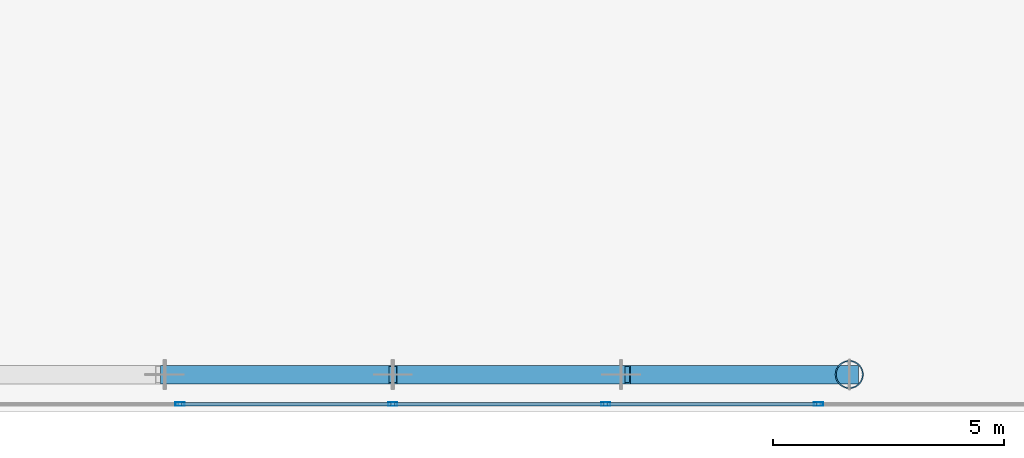
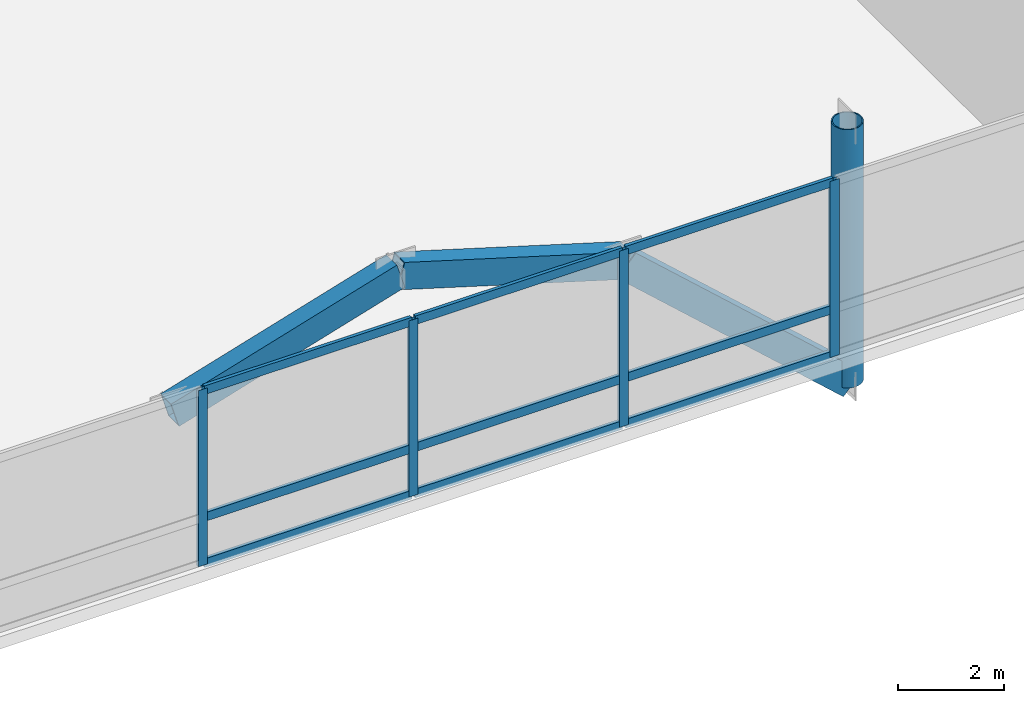
# One storey, part 12 of 36: 17 members, 1 element without a shape of its own.
"""IFC4 building model written with IfcOpenShell, lengths in metres."""

from ifc_helpers import new_model, si_unit, direction, frame, origin, origin_2d, place, context, subcontext, project, spatial, hollow_rectangle, hollow_circle, extrude, material, layer, layer_set, material_profile, profile_set, type_object, element, aggregate, save


model = new_model("IFC4")

# Units and contexts
model_context = context("Model", 3, precision=1e-05, world=origin(), true_north=direction((0.0, 1.0)))
body_context = subcontext(model_context, "Body", "Model", "MODEL_VIEW")
ifc_project = project(units=[si_unit("LENGTHUNIT", "METRE"), si_unit("AREAUNIT", "SQUARE_METRE"), si_unit("VOLUMEUNIT", "CUBIC_METRE"), si_unit("PLANEANGLEUNIT", "RADIAN"), si_unit("MASSUNIT", "GRAM", prefix="KILO")], contexts=[model_context])

# Site, building, storey
site_placement = place(None, origin())
site = spatial("IfcSite", under=ifc_project, at=site_placement, CompositionType="ELEMENT")
building_placement = place(site_placement, origin())
building = spatial("IfcBuilding", under=site, at=building_placement, Name="Varnelok Gate Tower", CompositionType="ELEMENT")
storey_placement = place(building_placement, frame((0.0, 0.0, 10.800048828125)))
storey = spatial("IfcBuildingStorey", under=building, at=storey_placement, Name="L02", CompositionType="ELEMENT", Elevation=10.800048828125)

# Curtain wall, members
ifc_material_1 = material(Name="Anodized Aluminum Alloy 6063-T6", Category="aluminium")
ifc_layer = layer(ifc_material_1, 0.179931640625)
ifc_layer_set = layer_set([ifc_layer], Name="Anodized Aluminum Alloy 6063-T6")
curtain_wall_type = type_object("IfcCurtainWallType", Name="CW1-ARCH-PORTAL", PredefinedType="USERDEFINED", material=ifc_layer_set)
curtain_wall_placement = place(storey_placement, origin())
curtain_wall = element("IfcCurtainWall", 1, at=curtain_wall_placement, inside=storey, type_object=curtain_wall_type, Name="L02 Giant Arch Portal Glazed Curtain Wall", ObjectType="UNITISED CURTAIN WALL", PredefinedType="USERDEFINED")
ifc_material_profile_1 = material_profile(ifc_material_1, hollow_rectangle(XDim=0.074951171875, YDim=0.199951171875, WallThickness=0.00390625, at=origin_2d()), Name="ALU200X75X4")
ifc_profile_set_1 = profile_set([ifc_material_profile_1], Name="Anodized Aluminum Alloy 6063-T6")
member_type_1 = type_object("IfcMemberType", Name="CW-MULL-200", PredefinedType="MULLION", material=ifc_profile_set_1)
member_1_placement = place(storey_placement, frame((48.39990234375, 0.159912109375, 0.0), z_axis=(0.0, 0.0, 1.0), x_axis=(0.0, -1.0, 0.0)))
member_1 = element("IfcMember", 2, at=member_1_placement, type_object=member_type_1, Name="CW1 mullion 2", PredefinedType="MULLION", context=body_context, shape_type="SweptSolid", body=[
    extrude(hollow_rectangle(XDim=0.074951171875, YDim=0.199951171875, WallThickness=0.00390625, at=origin_2d()), origin(), (0.0, 0.0, 1.0), 4.070068359375),
])
member_2_placement = place(storey_placement, frame((43.800048828125, 0.159912109375, 0.0), z_axis=(0.0, 0.0, 1.0), x_axis=(0.0, -1.0, 0.0)))
member_2 = element("IfcMember", 3, at=member_2_placement, type_object=member_type_1, Name="CW1 mullion 3", PredefinedType="MULLION", context=body_context, shape_type="SweptSolid", body=[
    extrude(hollow_rectangle(XDim=0.074951171875, YDim=0.199951171875, WallThickness=0.00390625, at=origin_2d()), origin(), (0.0, 0.0, 1.0), 4.070068359375),
])
member_3_placement = place(storey_placement, frame((39.199951171875, 0.159912109375, 0.0), z_axis=(0.0, 0.0, 1.0), x_axis=(0.0, -1.0, 0.0)))
member_3 = element("IfcMember", 4, at=member_3_placement, type_object=member_type_1, Name="CW1 mullion 4", PredefinedType="MULLION", context=body_context, shape_type="SweptSolid", body=[
    extrude(hollow_rectangle(XDim=0.074951171875, YDim=0.199951171875, WallThickness=0.00390625, at=origin_2d()), origin(), (0.0, 0.0, 1.0), 4.070068359375),
])
member_4_placement = place(storey_placement, frame((34.60009765625, 0.159912109375, 0.0), z_axis=(0.0, 0.0, 1.0), x_axis=(0.0, -1.0, 0.0)))
member_4 = element("IfcMember", 5, at=member_4_placement, type_object=member_type_1, Name="CW1 mullion 5", PredefinedType="MULLION", context=body_context, shape_type="SweptSolid", body=[
    extrude(hollow_rectangle(XDim=0.074951171875, YDim=0.199951171875, WallThickness=0.00390625, at=origin_2d()), origin(), (0.0, 0.0, 1.0), 4.070068359375),
])
ifc_material_profile_2 = material_profile(ifc_material_1, hollow_rectangle(XDim=0.074951171875, YDim=0.199951171875, WallThickness=0.00390625, at=origin_2d()), Name="ALU200X75X4")
ifc_profile_set_2 = profile_set([ifc_material_profile_2], Name="Anodized Aluminum Alloy 6063-T6")
member_type_2 = type_object("IfcMemberType", Name="CW-TRAN-200", PredefinedType="USERDEFINED", material=ifc_profile_set_2)
member_5_placement = place(storey_placement, frame((48.362548828125, 0.159912109375, 0.037353515625), z_axis=(-1.0, 0.0, 0.0), x_axis=(0.0, -1.0, 0.0)))
member_5 = element("IfcMember", 6, at=member_5_placement, type_object=member_type_2, Name="CW1 transom 2.1", ObjectType="TRANSOM", PredefinedType="USERDEFINED", context=body_context, shape_type="SweptSolid", body=[
    extrude(hollow_rectangle(XDim=0.074951171875, YDim=0.199951171875, WallThickness=0.00390625, at=origin_2d()), origin(), (0.0, 0.0, 1.0), 4.525146484375),
])
member_6_placement = place(storey_placement, frame((48.362548828125, 0.159912109375, 1.099853515625), z_axis=(-1.0, 0.0, 0.0), x_axis=(0.0, -1.0, 0.0)))
member_6 = element("IfcMember", 7, at=member_6_placement, type_object=member_type_2, Name="CW1 transom 2.2", ObjectType="TRANSOM", PredefinedType="USERDEFINED", context=body_context, shape_type="SweptSolid", body=[
    extrude(hollow_rectangle(XDim=0.074951171875, YDim=0.199951171875, WallThickness=0.00390625, at=origin_2d()), origin(), (0.0, 0.0, 1.0), 4.525146484375),
])
member_7_placement = place(storey_placement, frame((48.362548828125, 0.159912109375, 4.032470703125), z_axis=(-1.0, 0.0, 0.0), x_axis=(0.0, -1.0, 0.0)))
member_7 = element("IfcMember", 8, at=member_7_placement, type_object=member_type_2, Name="CW1 transom 2.3", ObjectType="TRANSOM", PredefinedType="USERDEFINED", context=body_context, shape_type="SweptSolid", body=[
    extrude(hollow_rectangle(XDim=0.074951171875, YDim=0.199951171875, WallThickness=0.00390625, at=origin_2d()), origin(), (0.0, 0.0, 1.0), 4.525146484375),
])
member_8_placement = place(storey_placement, frame((43.762451171875, 0.159912109375, 0.037353515625), z_axis=(-1.0, 0.0, 0.0), x_axis=(0.0, -1.0, 0.0)))
member_8 = element("IfcMember", 9, at=member_8_placement, type_object=member_type_2, Name="CW1 transom 3.1", ObjectType="TRANSOM", PredefinedType="USERDEFINED", context=body_context, shape_type="SweptSolid", body=[
    extrude(hollow_rectangle(XDim=0.074951171875, YDim=0.199951171875, WallThickness=0.00390625, at=origin_2d()), origin(), (0.0, 0.0, 1.0), 4.52490234375),
])
member_9_placement = place(storey_placement, frame((43.762451171875, 0.159912109375, 1.099853515625), z_axis=(-1.0, 0.0, 0.0), x_axis=(0.0, -1.0, 0.0)))
member_9 = element("IfcMember", 10, at=member_9_placement, type_object=member_type_2, Name="CW1 transom 3.2", ObjectType="TRANSOM", PredefinedType="USERDEFINED", context=body_context, shape_type="SweptSolid", body=[
    extrude(hollow_rectangle(XDim=0.074951171875, YDim=0.199951171875, WallThickness=0.00390625, at=origin_2d()), origin(), (0.0, 0.0, 1.0), 4.52490234375),
])
member_10_placement = place(storey_placement, frame((43.762451171875, 0.159912109375, 4.032470703125), z_axis=(-1.0, 0.0, 0.0), x_axis=(0.0, -1.0, 0.0)))
member_10 = element("IfcMember", 11, at=member_10_placement, type_object=member_type_2, Name="CW1 transom 3.3", ObjectType="TRANSOM", PredefinedType="USERDEFINED", context=body_context, shape_type="SweptSolid", body=[
    extrude(hollow_rectangle(XDim=0.074951171875, YDim=0.199951171875, WallThickness=0.00390625, at=origin_2d()), origin(), (0.0, 0.0, 1.0), 4.52490234375),
])
member_11_placement = place(storey_placement, frame((39.16259765625, 0.159912109375, 0.037353515625), z_axis=(-1.0, 0.0, 0.0), x_axis=(0.0, -1.0, 0.0)))
member_11 = element("IfcMember", 12, at=member_11_placement, type_object=member_type_2, Name="CW1 transom 4.1", ObjectType="TRANSOM", PredefinedType="USERDEFINED", context=body_context, shape_type="SweptSolid", body=[
    extrude(hollow_rectangle(XDim=0.074951171875, YDim=0.199951171875, WallThickness=0.00390625, at=origin_2d()), origin(), (0.0, 0.0, 1.0), 4.525146484375),
])
member_12_placement = place(storey_placement, frame((39.16259765625, 0.159912109375, 1.099853515625), z_axis=(-1.0, 0.0, 0.0), x_axis=(0.0, -1.0, 0.0)))
member_12 = element("IfcMember", 13, at=member_12_placement, type_object=member_type_2, Name="CW1 transom 4.2", ObjectType="TRANSOM", PredefinedType="USERDEFINED", context=body_context, shape_type="SweptSolid", body=[
    extrude(hollow_rectangle(XDim=0.074951171875, YDim=0.199951171875, WallThickness=0.00390625, at=origin_2d()), origin(), (0.0, 0.0, 1.0), 4.525146484375),
])
member_13_placement = place(storey_placement, frame((39.16259765625, 0.159912109375, 4.032470703125), z_axis=(-1.0, 0.0, 0.0), x_axis=(0.0, -1.0, 0.0)))
member_13 = element("IfcMember", 14, at=member_13_placement, type_object=member_type_2, Name="CW1 transom 4.3", ObjectType="TRANSOM", PredefinedType="USERDEFINED", context=body_context, shape_type="SweptSolid", body=[
    extrude(hollow_rectangle(XDim=0.074951171875, YDim=0.199951171875, WallThickness=0.00390625, at=origin_2d()), origin(), (0.0, 0.0, 1.0), 4.525146484375),
])
aggregate(curtain_wall, [member_1, member_2, member_3, member_4, member_5, member_6, member_7, member_8, member_9, member_10, member_11, member_12, member_13])

# Members
ifc_material_2 = material(Name="Structural Steel ASTM A572 Grade 50", Category="steel")
ifc_material_profile_3 = material_profile(ifc_material_2, hollow_rectangle(XDim=0.39990234375, YDim=0.60009765625, WallThickness=0.02490234375, at=origin_2d()), Name="HSS600X400X25")
ifc_profile_set_3 = profile_set([ifc_material_profile_3], Name="Structural Steel ASTM A572 Grade 50")
member_type_3 = type_object("IfcMemberType", Name="MEM-ARCH-CHORD", PredefinedType="CHORD", material=ifc_profile_set_3)
for number, where, z_axis, x_axis, name in (
    (15, (34.2666015625, 0.800048828125, 3.29345703125), (0.957474760949, 0.0, 0.288517039611), (0.0, 1.0, 0.0), "Giant Arch South Chord Rib 3"),
    (16, (39.199951171875, 0.800048828125, 4.780029296875), (0.957474760949, 0.0, -0.288517039611), (0.0, 1.0, 0.0), "Giant Arch South Chord Rib 4"),
):
    element("IfcMember", number, at=place(storey_placement, frame(where, z_axis=z_axis, x_axis=x_axis)), inside=storey, type_object=member_type_3, Name=name, PredefinedType="CHORD", context=body_context, shape_type="SweptSolid", body=[
        extrude(hollow_rectangle(XDim=0.39990234375, YDim=0.60009765625, WallThickness=0.02490234375, at=origin_2d()), origin(), (0.0, 0.0, 1.0), 5.15234375),
    ])
member_14_placement = place(storey_placement, frame((44.13330078125, 0.800048828125, 3.29345703125), z_axis=(0.741782714935, 0.0, -0.670640293916), x_axis=(0.0, 1.0, 0.0)))
element("IfcMember", 17, at=member_14_placement, inside=storey, type_object=member_type_3, Name="Giant Arch South Chord Rib 5", PredefinedType="CHORD", context=body_context, shape_type="SweptSolid", body=[
    extrude(hollow_rectangle(XDim=0.39990234375, YDim=0.60009765625, WallThickness=0.02490234375, at=origin_2d()), origin(), (0.0, 0.0, 1.0), 6.650634765625),
])
ifc_material_profile_4 = material_profile(ifc_material_2, hollow_circle(Radius=0.304931640625, WallThickness=0.02490234375, at=origin_2d()), Name="CHS610X25")
ifc_profile_set_4 = profile_set([ifc_material_profile_4], Name="Structural Steel ASTM A572 Grade 50")
member_type_4 = type_object("IfcMemberType", Name="MEM-ARCH-DIAG", PredefinedType="BRACE", material=ifc_profile_set_4)
member_15_placement = place(storey_placement, frame((49.066650390625, 0.800048828125, -1.166748046875), z_axis=(0.0, 0.0, 1.0), x_axis=(1.0, 0.0, 0.0)))
element("IfcMember", 18, at=member_15_placement, inside=storey, type_object=member_type_4, Name="Giant Arch Spandrel Strut South 5", PredefinedType="BRACE", context=body_context, shape_type="SweptSolid", body=[
    extrude(hollow_circle(Radius=0.304931640625, WallThickness=0.02490234375, at=origin_2d()), origin(), (0.0, 0.0, 1.0), 5.966796875),
])

save(model, "model.ifc")
